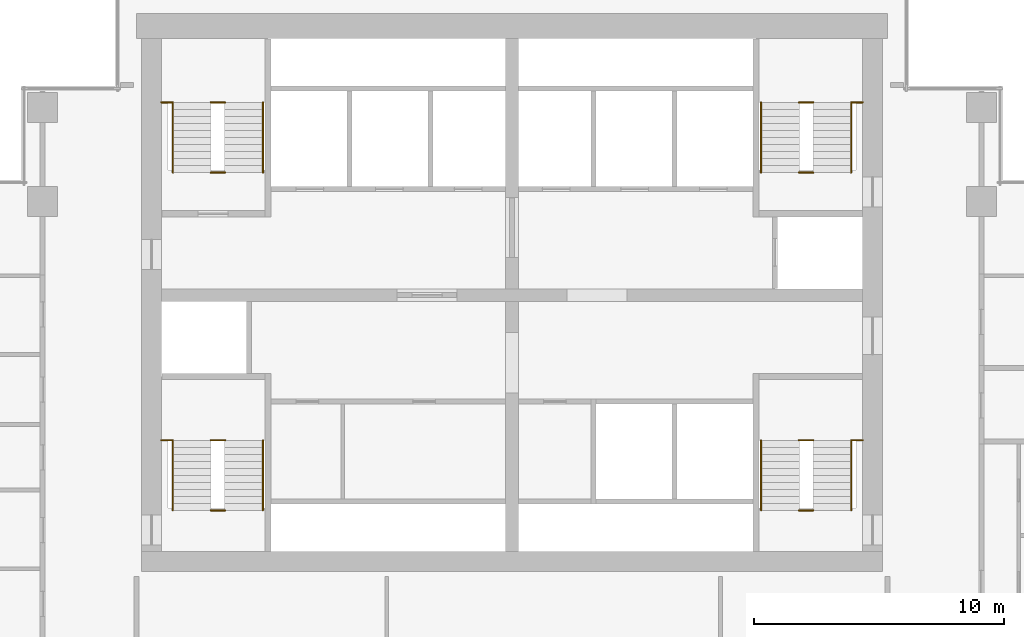
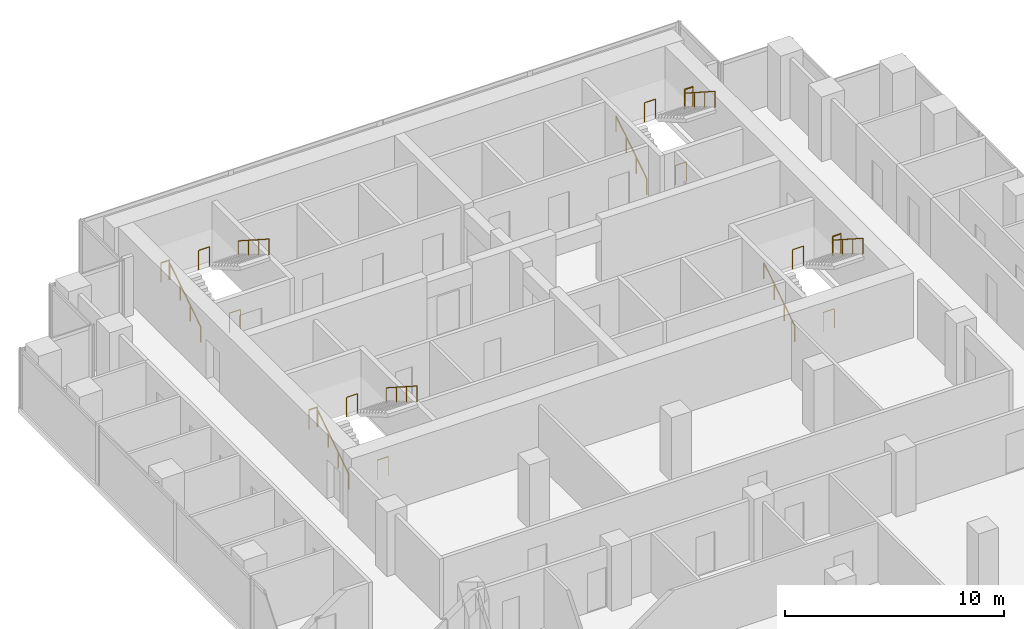
# One storey, part 10 of 10: 20 railings.
"""IFC4 building model written with IfcOpenShell, lengths in metres."""

from ifc_helpers import new_model, si_unit, direction, frame, origin, origin_2d, place, context, subcontext, project, spatial, circle, extrude, material, type_object, element, save


model = new_model("IFC4")

# Units and contexts
model_context = context("Model", 3, precision=1e-05, world=origin(), true_north=direction((0.0, 1.0)))
body_context = subcontext(model_context, "Body", "Model", "MODEL_VIEW")
ifc_project = project(units=[si_unit("LENGTHUNIT", "METRE"), si_unit("AREAUNIT", "SQUARE_METRE"), si_unit("VOLUMEUNIT", "CUBIC_METRE"), si_unit("PLANEANGLEUNIT", "RADIAN"), si_unit("MASSUNIT", "GRAM", prefix="KILO")], contexts=[model_context])

# Site, building, storey
site_placement = place(None, origin())
site = spatial("IfcSite", under=ifc_project, at=site_placement, CompositionType="ELEMENT")
building_placement = place(site_placement, origin())
building = spatial("IfcBuilding", under=site, at=building_placement, Name="Pilkhan Gate Tower", CompositionType="ELEMENT")
storey_placement = place(building_placement, frame((0.0, 0.0, 147.699951171875)))
storey = spatial("IfcBuildingStorey", under=building, at=storey_placement, Name="L37", CompositionType="ELEMENT", Elevation=147.699951171875)

# Railings
ifc_material_1 = material(Name="Black powder-coated steel tube", Category="steel")
railing_type_1 = type_object("IfcRailingType", Name="Stair handrail HR1", PredefinedType="HANDRAIL", material=ifc_material_1)
railing_1_placement = place(storey_placement, frame((84.949951171875, 73.89990234375, 0.0)))
element("IfcRailing", 1, at=railing_1_placement, inside=storey, type_object=railing_type_1, Name="Stair ST1 handrail L37", PredefinedType="HANDRAIL", context=body_context, shape_type="SweptSolid", body=[
    extrude(circle(Radius=0.02392578125, at=origin_2d()), frame((0.0, 0.0, 0.8759765625), z_axis=(0.0, 0.841176092368, 0.540761298198), x_axis=(-1.0, 0.0, 0.0)), (0.0, 0.0, 1.0), 3.32861328125),
    extrude(circle(Radius=0.02099609375, at=origin_2d()), origin(), (0.0, 0.0, 1.0), 0.851806640625),
    extrude(circle(Radius=0.02099609375, at=origin_2d()), frame((0.0, 0.933349609375, 0.60009765625)), (0.0, 0.0, 1.0), 0.851806640625),
    extrude(circle(Radius=0.02099609375, at=origin_2d()), frame((0.0, 1.86669921875, 1.199951171875)), (0.0, 0.0, 1.0), 0.851806640625),
    extrude(circle(Radius=0.02099609375, at=origin_2d()), frame((0.0, 2.800048828125, 1.800048828125)), (0.0, 0.0, 1.0), 0.851806640625),
])
railing_2_placement = place(storey_placement, frame((88.550048828125, 76.699951171875, 1.800048828125)))
element("IfcRailing", 2, at=railing_2_placement, inside=storey, type_object=railing_type_1, Name="Stair ST1 handrail L37", PredefinedType="HANDRAIL", context=body_context, shape_type="SweptSolid", body=[
    extrude(circle(Radius=0.02392578125, at=origin_2d()), frame((0.0, 0.0, 0.8759765625), z_axis=(0.0, -0.841176092368, 0.540761298198), x_axis=(1.0, 0.0, 0.0)), (0.0, 0.0, 1.0), 3.32861328125),
    extrude(circle(Radius=0.02099609375, at=origin_2d()), origin(), (0.0, 0.0, 1.0), 0.851806640625),
    extrude(circle(Radius=0.02099609375, at=origin_2d()), frame((0.0, -0.933349609375, 0.60009765625)), (0.0, 0.0, 1.0), 0.851806640625),
    extrude(circle(Radius=0.02099609375, at=origin_2d()), frame((0.0, -1.86669921875, 1.199951171875)), (0.0, 0.0, 1.0), 0.851806640625),
    extrude(circle(Radius=0.02099609375, at=origin_2d()), frame((0.0, -2.800048828125, 1.800048828125)), (0.0, 0.0, 1.0), 0.851806640625),
])
railing_3_placement = place(storey_placement, frame((61.449951171875, 73.89990234375, 0.0)))
element("IfcRailing", 3, at=railing_3_placement, inside=storey, type_object=railing_type_1, Name="Stair ST2 handrail L37", PredefinedType="HANDRAIL", context=body_context, shape_type="SweptSolid", body=[
    extrude(circle(Radius=0.02392578125, at=origin_2d()), frame((0.0, 0.0, 0.8759765625), z_axis=(0.0, 0.841176092368, 0.540761298198), x_axis=(-1.0, 0.0, 0.0)), (0.0, 0.0, 1.0), 3.32861328125),
    extrude(circle(Radius=0.02099609375, at=origin_2d()), origin(), (0.0, 0.0, 1.0), 0.851806640625),
    extrude(circle(Radius=0.02099609375, at=origin_2d()), frame((0.0, 0.933349609375, 0.60009765625)), (0.0, 0.0, 1.0), 0.851806640625),
    extrude(circle(Radius=0.02099609375, at=origin_2d()), frame((0.0, 1.86669921875, 1.199951171875)), (0.0, 0.0, 1.0), 0.851806640625),
    extrude(circle(Radius=0.02099609375, at=origin_2d()), frame((0.0, 2.800048828125, 1.800048828125)), (0.0, 0.0, 1.0), 0.851806640625),
])
railing_4_placement = place(storey_placement, frame((65.050048828125, 76.699951171875, 1.800048828125)))
element("IfcRailing", 4, at=railing_4_placement, inside=storey, type_object=railing_type_1, Name="Stair ST2 handrail L37", PredefinedType="HANDRAIL", context=body_context, shape_type="SweptSolid", body=[
    extrude(circle(Radius=0.02392578125, at=origin_2d()), frame((0.0, 0.0, 0.8759765625), z_axis=(0.0, -0.841176092368, 0.540761298198), x_axis=(1.0, 0.0, 0.0)), (0.0, 0.0, 1.0), 3.32861328125),
    extrude(circle(Radius=0.02099609375, at=origin_2d()), origin(), (0.0, 0.0, 1.0), 0.851806640625),
    extrude(circle(Radius=0.02099609375, at=origin_2d()), frame((0.0, -0.933349609375, 0.60009765625)), (0.0, 0.0, 1.0), 0.851806640625),
    extrude(circle(Radius=0.02099609375, at=origin_2d()), frame((0.0, -1.86669921875, 1.199951171875)), (0.0, 0.0, 1.0), 0.851806640625),
    extrude(circle(Radius=0.02099609375, at=origin_2d()), frame((0.0, -2.800048828125, 1.800048828125)), (0.0, 0.0, 1.0), 0.851806640625),
])
railing_5_placement = place(storey_placement, frame((61.449951171875, 87.39990234375, 0.0)))
element("IfcRailing", 5, at=railing_5_placement, inside=storey, type_object=railing_type_1, Name="Stair ST3 handrail L37", PredefinedType="HANDRAIL", context=body_context, shape_type="SweptSolid", body=[
    extrude(circle(Radius=0.02392578125, at=origin_2d()), frame((0.0, 0.0, 0.8759765625), z_axis=(0.0, 0.841176092368, 0.540761298198), x_axis=(-1.0, 0.0, 0.0)), (0.0, 0.0, 1.0), 3.32861328125),
    extrude(circle(Radius=0.02099609375, at=origin_2d()), origin(), (0.0, 0.0, 1.0), 0.851806640625),
    extrude(circle(Radius=0.02099609375, at=origin_2d()), frame((0.0, 0.933349609375, 0.60009765625)), (0.0, 0.0, 1.0), 0.851806640625),
    extrude(circle(Radius=0.02099609375, at=origin_2d()), frame((0.0, 1.86669921875, 1.199951171875)), (0.0, 0.0, 1.0), 0.851806640625),
    extrude(circle(Radius=0.02099609375, at=origin_2d()), frame((0.0, 2.800048828125, 1.800048828125)), (0.0, 0.0, 1.0), 0.851806640625),
])
railing_6_placement = place(storey_placement, frame((65.050048828125, 90.199951171875, 1.800048828125)))
element("IfcRailing", 6, at=railing_6_placement, inside=storey, type_object=railing_type_1, Name="Stair ST3 handrail L37", PredefinedType="HANDRAIL", context=body_context, shape_type="SweptSolid", body=[
    extrude(circle(Radius=0.02392578125, at=origin_2d()), frame((0.0, 0.0, 0.8759765625), z_axis=(0.0, -0.841176092368, 0.540761298198), x_axis=(1.0, 0.0, 0.0)), (0.0, 0.0, 1.0), 3.32861328125),
    extrude(circle(Radius=0.02099609375, at=origin_2d()), origin(), (0.0, 0.0, 1.0), 0.851806640625),
    extrude(circle(Radius=0.02099609375, at=origin_2d()), frame((0.0, -0.933349609375, 0.60009765625)), (0.0, 0.0, 1.0), 0.851806640625),
    extrude(circle(Radius=0.02099609375, at=origin_2d()), frame((0.0, -1.86669921875, 1.199951171875)), (0.0, 0.0, 1.0), 0.851806640625),
    extrude(circle(Radius=0.02099609375, at=origin_2d()), frame((0.0, -2.800048828125, 1.800048828125)), (0.0, 0.0, 1.0), 0.851806640625),
])
railing_7_placement = place(storey_placement, frame((84.949951171875, 87.39990234375, 0.0)))
element("IfcRailing", 7, at=railing_7_placement, inside=storey, type_object=railing_type_1, Name="Stair ST4 handrail L37", PredefinedType="HANDRAIL", context=body_context, shape_type="SweptSolid", body=[
    extrude(circle(Radius=0.02392578125, at=origin_2d()), frame((0.0, 0.0, 0.8759765625), z_axis=(0.0, 0.841176092368, 0.540761298198), x_axis=(-1.0, 0.0, 0.0)), (0.0, 0.0, 1.0), 3.32861328125),
    extrude(circle(Radius=0.02099609375, at=origin_2d()), origin(), (0.0, 0.0, 1.0), 0.851806640625),
    extrude(circle(Radius=0.02099609375, at=origin_2d()), frame((0.0, 0.933349609375, 0.60009765625)), (0.0, 0.0, 1.0), 0.851806640625),
    extrude(circle(Radius=0.02099609375, at=origin_2d()), frame((0.0, 1.86669921875, 1.199951171875)), (0.0, 0.0, 1.0), 0.851806640625),
    extrude(circle(Radius=0.02099609375, at=origin_2d()), frame((0.0, 2.800048828125, 1.800048828125)), (0.0, 0.0, 1.0), 0.851806640625),
])
railing_8_placement = place(storey_placement, frame((88.550048828125, 90.199951171875, 1.800048828125)))
element("IfcRailing", 8, at=railing_8_placement, inside=storey, type_object=railing_type_1, Name="Stair ST4 handrail L37", PredefinedType="HANDRAIL", context=body_context, shape_type="SweptSolid", body=[
    extrude(circle(Radius=0.02392578125, at=origin_2d()), frame((0.0, 0.0, 0.8759765625), z_axis=(0.0, -0.841176092368, 0.540761298198), x_axis=(1.0, 0.0, 0.0)), (0.0, 0.0, 1.0), 3.32861328125),
    extrude(circle(Radius=0.02099609375, at=origin_2d()), origin(), (0.0, 0.0, 1.0), 0.851806640625),
    extrude(circle(Radius=0.02099609375, at=origin_2d()), frame((0.0, -0.933349609375, 0.60009765625)), (0.0, 0.0, 1.0), 0.851806640625),
    extrude(circle(Radius=0.02099609375, at=origin_2d()), frame((0.0, -1.86669921875, 1.199951171875)), (0.0, 0.0, 1.0), 0.851806640625),
    extrude(circle(Radius=0.02099609375, at=origin_2d()), frame((0.0, -2.800048828125, 1.800048828125)), (0.0, 0.0, 1.0), 0.851806640625),
])
ifc_material_2 = material(Name="Black powder-coated steel balusters", Category="steel")
railing_type_2 = type_object("IfcRailingType", Name="Stair well guard G3", PredefinedType="GUARDRAIL", material=ifc_material_2)
railing_9_placement = place(storey_placement, frame((88.580078125, 76.699951171875, 1.800048828125)))
element("IfcRailing", 9, at=railing_9_placement, inside=storey, type_object=railing_type_2, Name="Stair ST1 well guard L37", PredefinedType="GUARDRAIL", context=body_context, shape_type="SweptSolid", body=[
    extrude(circle(Radius=0.02392578125, at=origin_2d()), frame((0.0, 0.0, 1.076171875), z_axis=(1.0, 0.0, 0.0), x_axis=(0.0, 1.0, 0.0)), (0.0, 0.0, 1.0), 0.43994140625),
    extrude(circle(Radius=0.02099609375, at=origin_2d()), origin(), (0.0, 0.0, 1.0), 1.052001953125),
    extrude(circle(Radius=0.02099609375, at=origin_2d()), frame((0.43994140625, 0.0, 0.0)), (0.0, 0.0, 1.0), 1.052001953125),
])
for number, where, name in (
    (10, (86.4599609375, 73.89990234375, 0.0), "Stair ST1 well guard L37"),
    (11, (86.4599609375, 76.699951171875, 1.800048828125), "Stair ST1 well guard L37"),
):
    element("IfcRailing", number, at=place(storey_placement, frame(where)), inside=storey, type_object=railing_type_2, Name=name, PredefinedType="GUARDRAIL", context=body_context, shape_type="SweptSolid", body=[
        extrude(circle(Radius=0.02392578125, at=origin_2d()), frame((0.0, 0.0, 1.076171875), z_axis=(1.0, 0.0, 0.0), x_axis=(0.0, 1.0, 0.0)), (0.0, 0.0, 1.0), 0.580078125),
        extrude(circle(Radius=0.02099609375, at=origin_2d()), origin(), (0.0, 0.0, 1.0), 1.052001953125),
        extrude(circle(Radius=0.02099609375, at=origin_2d()), frame((0.580078125, 0.0, 0.0)), (0.0, 0.0, 1.0), 1.052001953125),
    ])
railing_10_placement = place(storey_placement, frame((60.97998046875, 76.699951171875, 1.800048828125)))
element("IfcRailing", 12, at=railing_10_placement, inside=storey, type_object=railing_type_2, Name="Stair ST2 well guard L37", PredefinedType="GUARDRAIL", context=body_context, shape_type="SweptSolid", body=[
    extrude(circle(Radius=0.02392578125, at=origin_2d()), frame((0.0, 0.0, 1.076171875), z_axis=(1.0, 0.0, 0.0), x_axis=(0.0, 1.0, 0.0)), (0.0, 0.0, 1.0), 0.43994140625),
    extrude(circle(Radius=0.02099609375, at=origin_2d()), origin(), (0.0, 0.0, 1.0), 1.052001953125),
    extrude(circle(Radius=0.02099609375, at=origin_2d()), frame((0.43994140625, 0.0, 0.0)), (0.0, 0.0, 1.0), 1.052001953125),
])
for number, where, name in (
    (13, (62.9599609375, 73.89990234375, 0.0), "Stair ST2 well guard L37"),
    (14, (62.9599609375, 76.699951171875, 1.800048828125), "Stair ST2 well guard L37"),
):
    element("IfcRailing", number, at=place(storey_placement, frame(where)), inside=storey, type_object=railing_type_2, Name=name, PredefinedType="GUARDRAIL", context=body_context, shape_type="SweptSolid", body=[
        extrude(circle(Radius=0.02392578125, at=origin_2d()), frame((0.0, 0.0, 1.076171875), z_axis=(1.0, 0.0, 0.0), x_axis=(0.0, 1.0, 0.0)), (0.0, 0.0, 1.0), 0.580078125),
        extrude(circle(Radius=0.02099609375, at=origin_2d()), origin(), (0.0, 0.0, 1.0), 1.052001953125),
        extrude(circle(Radius=0.02099609375, at=origin_2d()), frame((0.580078125, 0.0, 0.0)), (0.0, 0.0, 1.0), 1.052001953125),
    ])
railing_11_placement = place(storey_placement, frame((60.97998046875, 90.199951171875, 1.800048828125)))
element("IfcRailing", 15, at=railing_11_placement, inside=storey, type_object=railing_type_2, Name="Stair ST3 well guard L37", PredefinedType="GUARDRAIL", context=body_context, shape_type="SweptSolid", body=[
    extrude(circle(Radius=0.02392578125, at=origin_2d()), frame((0.0, 0.0, 1.076171875), z_axis=(1.0, 0.0, 0.0), x_axis=(0.0, 1.0, 0.0)), (0.0, 0.0, 1.0), 0.43994140625),
    extrude(circle(Radius=0.02099609375, at=origin_2d()), origin(), (0.0, 0.0, 1.0), 1.052001953125),
    extrude(circle(Radius=0.02099609375, at=origin_2d()), frame((0.43994140625, 0.0, 0.0)), (0.0, 0.0, 1.0), 1.052001953125),
])
for number, where, name in (
    (16, (62.9599609375, 87.39990234375, 0.0), "Stair ST3 well guard L37"),
    (17, (62.9599609375, 90.199951171875, 1.800048828125), "Stair ST3 well guard L37"),
):
    element("IfcRailing", number, at=place(storey_placement, frame(where)), inside=storey, type_object=railing_type_2, Name=name, PredefinedType="GUARDRAIL", context=body_context, shape_type="SweptSolid", body=[
        extrude(circle(Radius=0.02392578125, at=origin_2d()), frame((0.0, 0.0, 1.076171875), z_axis=(1.0, 0.0, 0.0), x_axis=(0.0, 1.0, 0.0)), (0.0, 0.0, 1.0), 0.580078125),
        extrude(circle(Radius=0.02099609375, at=origin_2d()), origin(), (0.0, 0.0, 1.0), 1.052001953125),
        extrude(circle(Radius=0.02099609375, at=origin_2d()), frame((0.580078125, 0.0, 0.0)), (0.0, 0.0, 1.0), 1.052001953125),
    ])
railing_12_placement = place(storey_placement, frame((88.580078125, 90.199951171875, 1.800048828125)))
element("IfcRailing", 18, at=railing_12_placement, inside=storey, type_object=railing_type_2, Name="Stair ST4 well guard L37", PredefinedType="GUARDRAIL", context=body_context, shape_type="SweptSolid", body=[
    extrude(circle(Radius=0.02392578125, at=origin_2d()), frame((0.0, 0.0, 1.076171875), z_axis=(1.0, 0.0, 0.0), x_axis=(0.0, 1.0, 0.0)), (0.0, 0.0, 1.0), 0.43994140625),
    extrude(circle(Radius=0.02099609375, at=origin_2d()), origin(), (0.0, 0.0, 1.0), 1.052001953125),
    extrude(circle(Radius=0.02099609375, at=origin_2d()), frame((0.43994140625, 0.0, 0.0)), (0.0, 0.0, 1.0), 1.052001953125),
])
for number, where, name in (
    (19, (86.4599609375, 87.39990234375, 0.0), "Stair ST4 well guard L37"),
    (20, (86.4599609375, 90.199951171875, 1.800048828125), "Stair ST4 well guard L37"),
):
    element("IfcRailing", number, at=place(storey_placement, frame(where)), inside=storey, type_object=railing_type_2, Name=name, PredefinedType="GUARDRAIL", context=body_context, shape_type="SweptSolid", body=[
        extrude(circle(Radius=0.02392578125, at=origin_2d()), frame((0.0, 0.0, 1.076171875), z_axis=(1.0, 0.0, 0.0), x_axis=(0.0, 1.0, 0.0)), (0.0, 0.0, 1.0), 0.580078125),
        extrude(circle(Radius=0.02099609375, at=origin_2d()), origin(), (0.0, 0.0, 1.0), 1.052001953125),
        extrude(circle(Radius=0.02099609375, at=origin_2d()), frame((0.580078125, 0.0, 0.0)), (0.0, 0.0, 1.0), 1.052001953125),
    ])

save(model, "model.ifc")
